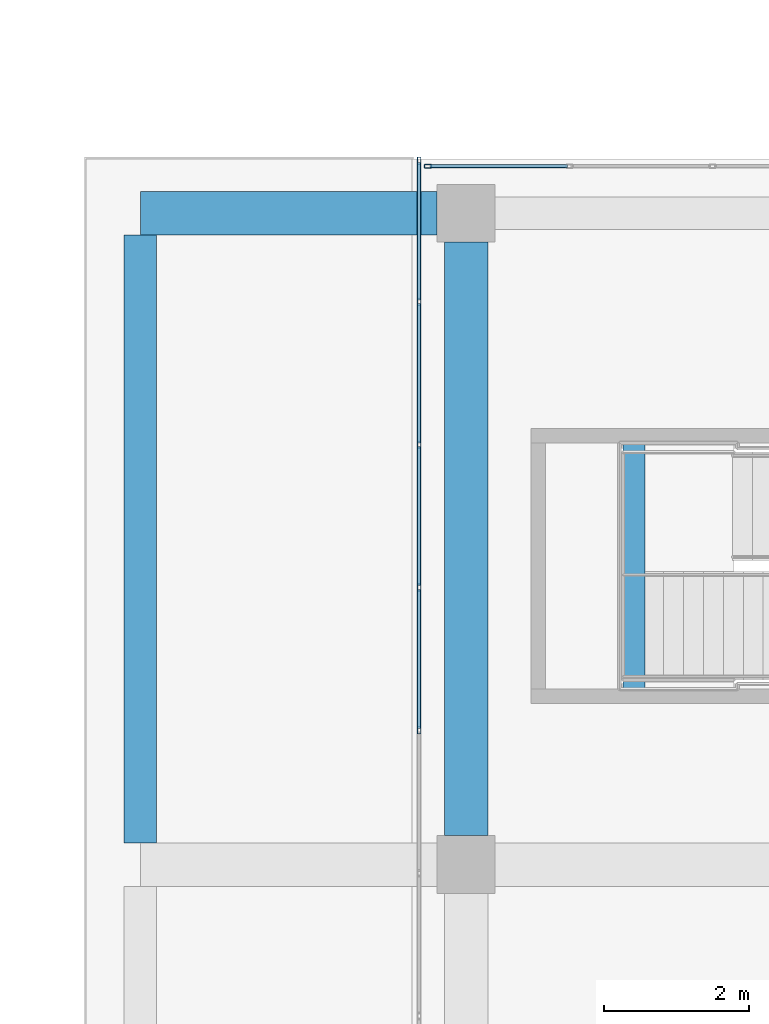
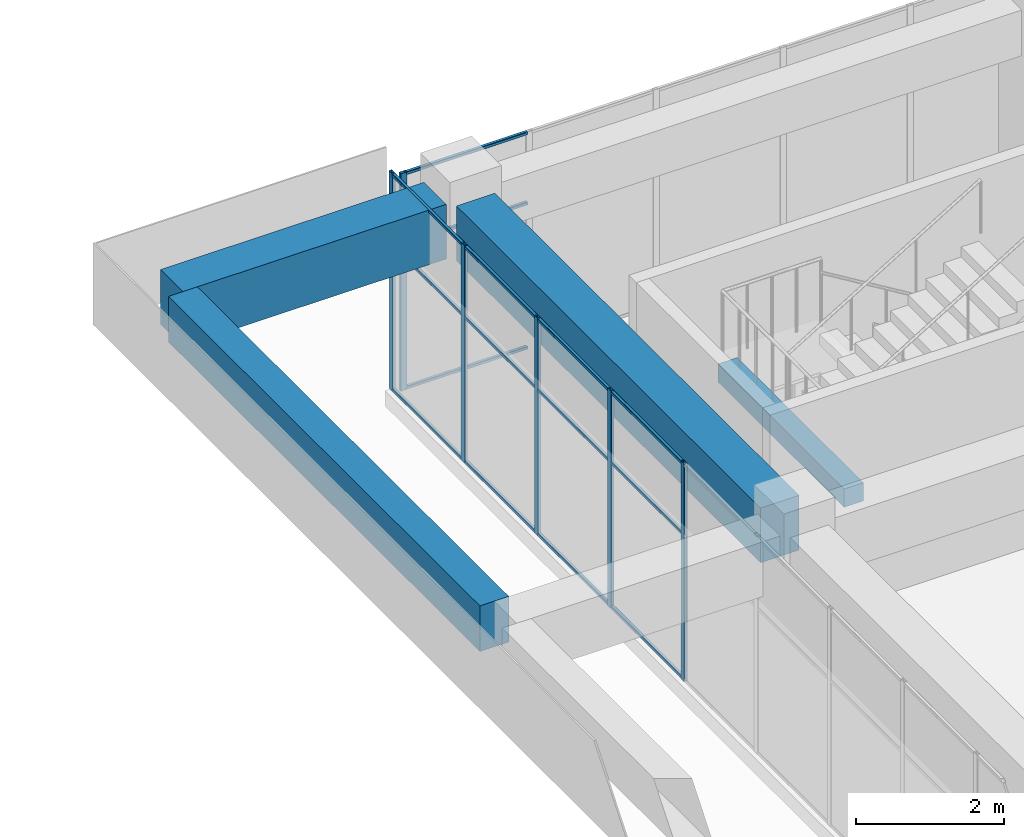
# One storey, part 31 of 52: 21 members, 4 beams, 2 elements without a shape of their own.
"""IFC4 building model written with IfcOpenShell, lengths in metres."""

from ifc_helpers import new_model, si_unit, direction, frame, origin, origin_2d, place, context, subcontext, project, spatial, rectangle, hollow_rectangle, extrude, material, layer, layer_set, material_profile, profile_set, type_object, element, aggregate, save


model = new_model("IFC4")

# Units and contexts
model_context = context("Model", 3, precision=1e-05, world=origin(), true_north=direction((0.0, 1.0)))
body_context = subcontext(model_context, "Body", "Model", "MODEL_VIEW")
ifc_project = project(units=[si_unit("LENGTHUNIT", "METRE"), si_unit("AREAUNIT", "SQUARE_METRE"), si_unit("VOLUMEUNIT", "CUBIC_METRE"), si_unit("PLANEANGLEUNIT", "RADIAN"), si_unit("MASSUNIT", "GRAM", prefix="KILO")], contexts=[model_context])

# Site, building, storey
site_placement = place(None, origin())
site = spatial("IfcSite", under=ifc_project, at=site_placement, CompositionType="ELEMENT")
building_placement = place(site_placement, origin())
building = spatial("IfcBuilding", under=site, at=building_placement, Name="Tuart Plaza Theatre", CompositionType="ELEMENT")
storey_placement = place(building_placement, frame((0.0, 0.0, 25.5)))
storey = spatial("IfcBuildingStorey", under=building, at=storey_placement, Name="L06", CompositionType="ELEMENT", Elevation=25.5)

# Beams
ifc_material_1 = material(Name="Concrete N40 (40 MPa)", Category="concrete")
ifc_material_profile_1 = material_profile(ifc_material_1, rectangle(XDim=0.300048828125, YDim=0.300048828125, at=origin_2d()), Name="BEAM 300x300 Concrete N40 (40 MPa)")
ifc_profile_set_1 = profile_set([ifc_material_profile_1], Name="Concrete N40 (40 MPa)")
beam_type_1 = type_object("IfcBeamType", Name="BEAM 300x300 Concrete N40 (40 MPa)", PredefinedType="BEAM", material=ifc_profile_set_1)
beam_1_placement = place(storey_placement, frame((116.320068359375, 88.824951171875, 1.64990234375), z_axis=(0.0, -1.0, 0.0), x_axis=(1.0, 0.0, 0.0)))
element("IfcBeam", 1, at=beam_1_placement, inside=storey, type_object=beam_type_1, Name="RB534", PredefinedType="BEAM", context=body_context, shape_type="SweptSolid", body=[
    extrude(rectangle(XDim=0.300048828125, YDim=0.300048828125, at=origin_2d()), origin(), (0.0, 0.0, 1.0), 3.39990234375),
])
ifc_material_2 = material(Name="Concrete N40 (40 MPa)", Category="concrete")
ifc_material_profile_2 = material_profile(ifc_material_2, rectangle(XDim=0.449951171875, YDim=0.75, at=origin_2d()), Name="BEAM 450x750 Concrete N40 (40 MPa)")
ifc_profile_set_2 = profile_set([ifc_material_profile_2], Name="Concrete N40 (40 MPa)")
beam_type_2 = type_object("IfcBeamType", Name="BEAM 450x750 Concrete N40 (40 MPa)", PredefinedType="BEAM", material=ifc_profile_set_2)
beam_2_placement = place(storey_placement, frame((109.5, 83.300048828125, 3.205078125), z_axis=(0.0, 1.0, 0.0), x_axis=(-1.0, 0.0, 0.0)))
element("IfcBeam", 2, at=beam_2_placement, inside=storey, type_object=beam_type_2, Name="RB245", PredefinedType="BEAM", context=body_context, shape_type="SweptSolid", body=[
    extrude(rectangle(XDim=0.449951171875, YDim=0.75, at=origin_2d()), origin(), (0.0, 0.0, 1.0), 8.39990234375),
])
ifc_material_3 = material(Name="Concrete N40 (40 MPa)", Category="concrete")
ifc_material_profile_3 = material_profile(ifc_material_3, rectangle(XDim=0.60009765625, YDim=0.89990234375, at=origin_2d()), Name="BEAM 600x900 Concrete N40 (40 MPa)")
ifc_profile_set_3 = profile_set([ifc_material_profile_3], Name="Concrete N40 (40 MPa)")
beam_type_3 = type_object("IfcBeamType", Name="BEAM 600x900 Concrete N40 (40 MPa)", PredefinedType="BEAM", material=ifc_profile_set_3)
beam_3_placement = place(storey_placement, frame((109.5, 92.0, 3.1298828125), z_axis=(1.0, 0.0, 0.0), x_axis=(0.0, 1.0, 0.0)))
element("IfcBeam", 3, at=beam_3_placement, inside=storey, type_object=beam_type_3, Name="RB247", PredefinedType="BEAM", context=body_context, shape_type="SweptSolid", body=[
    extrude(rectangle(XDim=0.60009765625, YDim=0.89990234375, at=origin_2d()), origin(), (0.0, 0.0, 1.0), 4.10009765625),
])
beam_4_placement = place(storey_placement, frame((114.0, 83.39990234375, 3.1298828125), z_axis=(0.0, 1.0, 0.0), x_axis=(-1.0, 0.0, 0.0)))
element("IfcBeam", 4, at=beam_4_placement, inside=storey, type_object=beam_type_3, Name="RB213", PredefinedType="BEAM", context=body_context, shape_type="SweptSolid", body=[
    extrude(rectangle(XDim=0.60009765625, YDim=0.89990234375, at=origin_2d()), origin(), (0.0, 0.0, 1.0), 8.2001953125),
])

# Curtain wall, member
ifc_material_4 = material(Name="Aluminium and glass", Category="aluminium")
ifc_layer = layer(ifc_material_4, 0.10009765625)
ifc_layer_set = layer_set([ifc_layer], Name="CURTAIN WALL 2000 module")
curtain_wall_type = type_object("IfcCurtainWallType", Name="CURTAIN WALL 2000 module", PredefinedType="NOTDEFINED", material=ifc_layer_set)
curtain_wall_1_placement = place(storey_placement, origin())
curtain_wall_1 = element("IfcCurtainWall", 5, at=curtain_wall_1_placement, inside=storey, type_object=curtain_wall_type, Name="CW84", PredefinedType="NOTDEFINED")
ifc_material_5 = material(Name="Aluminium 6063-T5", Category="aluminium")
ifc_material_profile_4 = material_profile(ifc_material_5, hollow_rectangle(XDim=0.050048828125, YDim=0.10009765625, WallThickness=0.00390625, InnerFilletRadius=0.00390625, OuterFilletRadius=0.008056640625, at=origin_2d()), Name="RHS 100x50x4")
ifc_profile_set_4 = profile_set([ifc_material_profile_4], Name="Aluminium 6063-T5")
member_type_1 = type_object("IfcMemberType", Name="MULLION RHS 100x50x4", PredefinedType="MULLION", material=ifc_profile_set_4)
member_1_placement = place(storey_placement, frame((113.47509765625, 92.64990234375, 0.0), z_axis=(0.0, 0.0, 1.0), x_axis=(0.0, -1.0, 0.0)))
member_1 = element("IfcMember", 6, at=member_1_placement, type_object=member_type_1, Name="CW84 mullion 10", PredefinedType="MULLION", context=body_context, shape_type="SweptSolid", body=[
    extrude(hollow_rectangle(XDim=0.050048828125, YDim=0.10009765625, WallThickness=0.00390625, InnerFilletRadius=0.00390625, OuterFilletRadius=0.008056640625, at=origin_2d()), origin(), (0.0, 0.0, 1.0), 3.580078125),
])

# Curtain wall, members
curtain_wall_2_placement = place(storey_placement, origin())
curtain_wall_2 = element("IfcCurtainWall", 7, at=curtain_wall_2_placement, inside=storey, type_object=curtain_wall_type, Name="CW86", PredefinedType="NOTDEFINED")
member_2_placement = place(storey_placement, frame((113.35009765625, 92.72509765625, 0.0), z_axis=(0.0, 0.0, 1.0), x_axis=(1.0, 0.0, 0.0)))
member_2 = element("IfcMember", 8, at=member_2_placement, type_object=member_type_1, Name="CW86 mullion 1", PredefinedType="MULLION", context=body_context, shape_type="SweptSolid", body=[
    extrude(hollow_rectangle(XDim=0.050048828125, YDim=0.10009765625, WallThickness=0.00390625, InnerFilletRadius=0.00390625, OuterFilletRadius=0.008056640625, at=origin_2d()), origin(), (0.0, 0.0, 1.0), 3.580078125),
])
member_3_placement = place(storey_placement, frame((113.35009765625, 90.7763671875, 0.0), z_axis=(0.0, 0.0, 1.0), x_axis=(1.0, 0.0, 0.0)))
member_3 = element("IfcMember", 9, at=member_3_placement, type_object=member_type_1, Name="CW86 mullion 2", PredefinedType="MULLION", context=body_context, shape_type="SweptSolid", body=[
    extrude(hollow_rectangle(XDim=0.050048828125, YDim=0.10009765625, WallThickness=0.00390625, InnerFilletRadius=0.00390625, OuterFilletRadius=0.008056640625, at=origin_2d()), origin(), (0.0, 0.0, 1.0), 3.580078125),
])
member_4_placement = place(storey_placement, frame((113.35009765625, 88.802734375, 0.0), z_axis=(0.0, 0.0, 1.0), x_axis=(1.0, 0.0, 0.0)))
member_4 = element("IfcMember", 10, at=member_4_placement, type_object=member_type_1, Name="CW86 mullion 3", PredefinedType="MULLION", context=body_context, shape_type="SweptSolid", body=[
    extrude(hollow_rectangle(XDim=0.050048828125, YDim=0.10009765625, WallThickness=0.00390625, InnerFilletRadius=0.00390625, OuterFilletRadius=0.008056640625, at=origin_2d()), origin(), (0.0, 0.0, 1.0), 3.580078125),
])
member_5_placement = place(storey_placement, frame((113.35009765625, 86.828857421875, 0.0), z_axis=(0.0, 0.0, 1.0), x_axis=(1.0, 0.0, 0.0)))
member_5 = element("IfcMember", 11, at=member_5_placement, type_object=member_type_1, Name="CW86 mullion 4", PredefinedType="MULLION", context=body_context, shape_type="SweptSolid", body=[
    extrude(hollow_rectangle(XDim=0.050048828125, YDim=0.10009765625, WallThickness=0.00390625, InnerFilletRadius=0.00390625, OuterFilletRadius=0.008056640625, at=origin_2d()), origin(), (0.0, 0.0, 1.0), 3.580078125),
])
member_6_placement = place(storey_placement, frame((113.35009765625, 84.855224609375, 0.0), z_axis=(0.0, 0.0, 1.0), x_axis=(1.0, 0.0, 0.0)))
member_6 = element("IfcMember", 12, at=member_6_placement, type_object=member_type_1, Name="CW86 mullion 5", PredefinedType="MULLION", context=body_context, shape_type="SweptSolid", body=[
    extrude(hollow_rectangle(XDim=0.050048828125, YDim=0.10009765625, WallThickness=0.00390625, InnerFilletRadius=0.00390625, OuterFilletRadius=0.008056640625, at=origin_2d()), origin(), (0.0, 0.0, 1.0), 3.580078125),
])

# Member
ifc_material_6 = material(Name="Aluminium 6063-T5", Category="aluminium")
ifc_material_profile_5 = material_profile(ifc_material_6, hollow_rectangle(XDim=0.050048828125, YDim=0.050048828125, WallThickness=0.00390625, InnerFilletRadius=0.00390625, OuterFilletRadius=0.008056640625, at=origin_2d()), Name="RHS 50x50x4")
ifc_profile_set_5 = profile_set([ifc_material_profile_5], Name="Aluminium 6063-T5")
member_type_2 = type_object("IfcMemberType", Name="TRANSOM RHS 50x50x4", PredefinedType="USERDEFINED", material=ifc_profile_set_5)
member_7_placement = place(storey_placement, frame((115.40283203125, 92.64990234375, 0.02490234375), z_axis=(-1.0, 0.0, 0.0), x_axis=(0.0, -1.0, 0.0)))
member_7 = element("IfcMember", 13, at=member_7_placement, type_object=member_type_2, Name="CW84 transom 9.1", ObjectType="TRANSOM", PredefinedType="USERDEFINED", context=body_context, shape_type="SweptSolid", body=[
    extrude(hollow_rectangle(XDim=0.050048828125, YDim=0.050048828125, WallThickness=0.00390625, InnerFilletRadius=0.00390625, OuterFilletRadius=0.008056640625, at=origin_2d()), origin(), (0.0, 0.0, 1.0), 1.90283203125),
])

member_8_placement = place(storey_placement, frame((115.40283203125, 92.64990234375, 2.39990234375), z_axis=(-1.0, 0.0, 0.0), x_axis=(0.0, -1.0, 0.0)))
member_8 = element("IfcMember", 14, at=member_8_placement, type_object=member_type_2, Name="CW84 transom 9.2", ObjectType="TRANSOM", PredefinedType="USERDEFINED", context=body_context, shape_type="SweptSolid", body=[
    extrude(hollow_rectangle(XDim=0.050048828125, YDim=0.050048828125, WallThickness=0.00390625, InnerFilletRadius=0.00390625, OuterFilletRadius=0.008056640625, at=origin_2d()), origin(), (0.0, 0.0, 1.0), 1.90283203125),
])

member_9_placement = place(storey_placement, frame((115.40283203125, 92.64990234375, 3.554931640625), z_axis=(-1.0, 0.0, 0.0), x_axis=(0.0, -1.0, 0.0)))
member_9 = element("IfcMember", 15, at=member_9_placement, type_object=member_type_2, Name="CW84 transom 9.3", ObjectType="TRANSOM", PredefinedType="USERDEFINED", context=body_context, shape_type="SweptSolid", body=[
    extrude(hollow_rectangle(XDim=0.050048828125, YDim=0.050048828125, WallThickness=0.00390625, InnerFilletRadius=0.00390625, OuterFilletRadius=0.008056640625, at=origin_2d()), origin(), (0.0, 0.0, 1.0), 1.90283203125),
])

aggregate(curtain_wall_1, [member_1, member_7, member_8, member_9])

member_10_placement = place(storey_placement, frame((113.35009765625, 92.699951171875, 0.02490234375), z_axis=(0.0, -1.0, 0.0), x_axis=(1.0, 0.0, 0.0)))
member_10 = element("IfcMember", 16, at=member_10_placement, type_object=member_type_2, Name="CW86 transom 1.1", ObjectType="TRANSOM", PredefinedType="USERDEFINED", context=body_context, shape_type="SweptSolid", body=[
    extrude(hollow_rectangle(XDim=0.050048828125, YDim=0.050048828125, WallThickness=0.00390625, InnerFilletRadius=0.00390625, OuterFilletRadius=0.008056640625, at=origin_2d()), origin(), (0.0, 0.0, 1.0), 1.898681640625),
])

member_11_placement = place(storey_placement, frame((113.35009765625, 92.699951171875, 2.39990234375), z_axis=(0.0, -1.0, 0.0), x_axis=(1.0, 0.0, 0.0)))
member_11 = element("IfcMember", 17, at=member_11_placement, type_object=member_type_2, Name="CW86 transom 1.2", ObjectType="TRANSOM", PredefinedType="USERDEFINED", context=body_context, shape_type="SweptSolid", body=[
    extrude(hollow_rectangle(XDim=0.050048828125, YDim=0.050048828125, WallThickness=0.00390625, InnerFilletRadius=0.00390625, OuterFilletRadius=0.008056640625, at=origin_2d()), origin(), (0.0, 0.0, 1.0), 1.898681640625),
])

member_12_placement = place(storey_placement, frame((113.35009765625, 92.699951171875, 3.554931640625), z_axis=(0.0, -1.0, 0.0), x_axis=(1.0, 0.0, 0.0)))
member_12 = element("IfcMember", 18, at=member_12_placement, type_object=member_type_2, Name="CW86 transom 1.3", ObjectType="TRANSOM", PredefinedType="USERDEFINED", context=body_context, shape_type="SweptSolid", body=[
    extrude(hollow_rectangle(XDim=0.050048828125, YDim=0.050048828125, WallThickness=0.00390625, InnerFilletRadius=0.00390625, OuterFilletRadius=0.008056640625, at=origin_2d()), origin(), (0.0, 0.0, 1.0), 1.898681640625),
])

member_13_placement = place(storey_placement, frame((113.35009765625, 90.751220703125, 0.02490234375), z_axis=(0.0, -1.0, 0.0), x_axis=(1.0, 0.0, 0.0)))
member_13 = element("IfcMember", 19, at=member_13_placement, type_object=member_type_2, Name="CW86 transom 2.1", ObjectType="TRANSOM", PredefinedType="USERDEFINED", context=body_context, shape_type="SweptSolid", body=[
    extrude(hollow_rectangle(XDim=0.050048828125, YDim=0.050048828125, WallThickness=0.00390625, InnerFilletRadius=0.00390625, OuterFilletRadius=0.008056640625, at=origin_2d()), origin(), (0.0, 0.0, 1.0), 1.923583984375),
])

member_14_placement = place(storey_placement, frame((113.35009765625, 90.751220703125, 2.39990234375), z_axis=(0.0, -1.0, 0.0), x_axis=(1.0, 0.0, 0.0)))
member_14 = element("IfcMember", 20, at=member_14_placement, type_object=member_type_2, Name="CW86 transom 2.2", ObjectType="TRANSOM", PredefinedType="USERDEFINED", context=body_context, shape_type="SweptSolid", body=[
    extrude(hollow_rectangle(XDim=0.050048828125, YDim=0.050048828125, WallThickness=0.00390625, InnerFilletRadius=0.00390625, OuterFilletRadius=0.008056640625, at=origin_2d()), origin(), (0.0, 0.0, 1.0), 1.923583984375),
])

member_15_placement = place(storey_placement, frame((113.35009765625, 90.751220703125, 3.554931640625), z_axis=(0.0, -1.0, 0.0), x_axis=(1.0, 0.0, 0.0)))
member_15 = element("IfcMember", 21, at=member_15_placement, type_object=member_type_2, Name="CW86 transom 2.3", ObjectType="TRANSOM", PredefinedType="USERDEFINED", context=body_context, shape_type="SweptSolid", body=[
    extrude(hollow_rectangle(XDim=0.050048828125, YDim=0.050048828125, WallThickness=0.00390625, InnerFilletRadius=0.00390625, OuterFilletRadius=0.008056640625, at=origin_2d()), origin(), (0.0, 0.0, 1.0), 1.923583984375),
])

member_16_placement = place(storey_placement, frame((113.35009765625, 88.777587890625, 0.02490234375), z_axis=(0.0, -1.0, 0.0), x_axis=(1.0, 0.0, 0.0)))
member_16 = element("IfcMember", 22, at=member_16_placement, type_object=member_type_2, Name="CW86 transom 3.1", ObjectType="TRANSOM", PredefinedType="USERDEFINED", context=body_context, shape_type="SweptSolid", body=[
    extrude(hollow_rectangle(XDim=0.050048828125, YDim=0.050048828125, WallThickness=0.00390625, InnerFilletRadius=0.00390625, OuterFilletRadius=0.008056640625, at=origin_2d()), origin(), (0.0, 0.0, 1.0), 1.923583984375),
])

member_17_placement = place(storey_placement, frame((113.35009765625, 88.777587890625, 2.39990234375), z_axis=(0.0, -1.0, 0.0), x_axis=(1.0, 0.0, 0.0)))
member_17 = element("IfcMember", 23, at=member_17_placement, type_object=member_type_2, Name="CW86 transom 3.2", ObjectType="TRANSOM", PredefinedType="USERDEFINED", context=body_context, shape_type="SweptSolid", body=[
    extrude(hollow_rectangle(XDim=0.050048828125, YDim=0.050048828125, WallThickness=0.00390625, InnerFilletRadius=0.00390625, OuterFilletRadius=0.008056640625, at=origin_2d()), origin(), (0.0, 0.0, 1.0), 1.923583984375),
])

member_18_placement = place(storey_placement, frame((113.35009765625, 88.777587890625, 3.554931640625), z_axis=(0.0, -1.0, 0.0), x_axis=(1.0, 0.0, 0.0)))
member_18 = element("IfcMember", 24, at=member_18_placement, type_object=member_type_2, Name="CW86 transom 3.3", ObjectType="TRANSOM", PredefinedType="USERDEFINED", context=body_context, shape_type="SweptSolid", body=[
    extrude(hollow_rectangle(XDim=0.050048828125, YDim=0.050048828125, WallThickness=0.00390625, InnerFilletRadius=0.00390625, OuterFilletRadius=0.008056640625, at=origin_2d()), origin(), (0.0, 0.0, 1.0), 1.923583984375),
])

member_19_placement = place(storey_placement, frame((113.35009765625, 86.803955078125, 0.02490234375), z_axis=(0.0, -1.0, 0.0), x_axis=(1.0, 0.0, 0.0)))
member_19 = element("IfcMember", 25, at=member_19_placement, type_object=member_type_2, Name="CW86 transom 4.1", ObjectType="TRANSOM", PredefinedType="USERDEFINED", context=body_context, shape_type="SweptSolid", body=[
    extrude(hollow_rectangle(XDim=0.050048828125, YDim=0.050048828125, WallThickness=0.00390625, InnerFilletRadius=0.00390625, OuterFilletRadius=0.008056640625, at=origin_2d()), origin(), (0.0, 0.0, 1.0), 1.923583984375),
])

member_20_placement = place(storey_placement, frame((113.35009765625, 86.803955078125, 2.39990234375), z_axis=(0.0, -1.0, 0.0), x_axis=(1.0, 0.0, 0.0)))
member_20 = element("IfcMember", 26, at=member_20_placement, type_object=member_type_2, Name="CW86 transom 4.2", ObjectType="TRANSOM", PredefinedType="USERDEFINED", context=body_context, shape_type="SweptSolid", body=[
    extrude(hollow_rectangle(XDim=0.050048828125, YDim=0.050048828125, WallThickness=0.00390625, InnerFilletRadius=0.00390625, OuterFilletRadius=0.008056640625, at=origin_2d()), origin(), (0.0, 0.0, 1.0), 1.923583984375),
])

member_21_placement = place(storey_placement, frame((113.35009765625, 86.803955078125, 3.554931640625), z_axis=(0.0, -1.0, 0.0), x_axis=(1.0, 0.0, 0.0)))
member_21 = element("IfcMember", 27, at=member_21_placement, type_object=member_type_2, Name="CW86 transom 4.3", ObjectType="TRANSOM", PredefinedType="USERDEFINED", context=body_context, shape_type="SweptSolid", body=[
    extrude(hollow_rectangle(XDim=0.050048828125, YDim=0.050048828125, WallThickness=0.00390625, InnerFilletRadius=0.00390625, OuterFilletRadius=0.008056640625, at=origin_2d()), origin(), (0.0, 0.0, 1.0), 1.923583984375),
])

aggregate(curtain_wall_2, [member_2, member_3, member_4, member_5, member_6, member_10, member_11, member_12, member_13, member_14, member_15, member_16, member_17, member_18, member_19, member_20, member_21])

save(model, "model.ifc")
